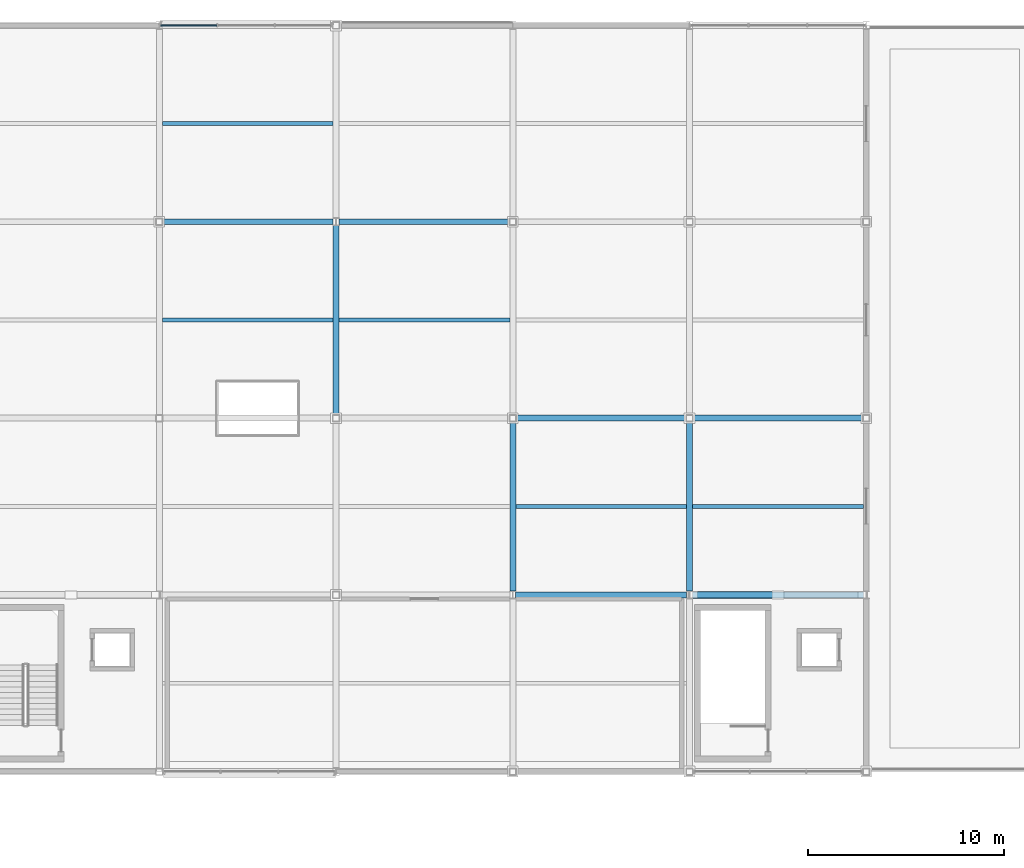
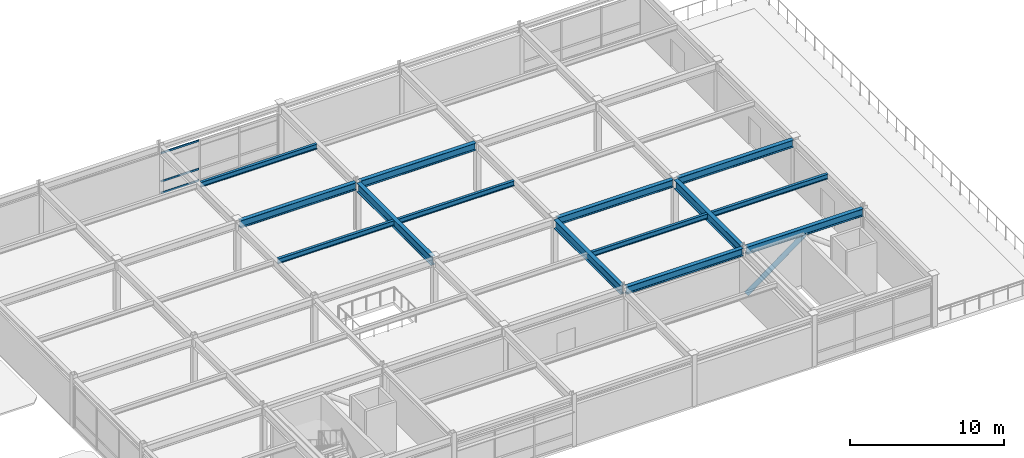
# One storey, part 23 of 40: 14 beams, 4 members, 1 element without a shape of its own.
"""IFC4 building model written with IfcOpenShell, lengths in metres."""

from ifc_helpers import new_model, si_unit, direction, frame, origin, origin_2d, place, context, subcontext, project, spatial, rectangle, hollow_circle, i_section, extrude, material, material_profile, profile_set, type_object, element, aggregate, save


model = new_model("IFC4")

# Units and contexts
model_context = context("Model", 3, precision=1e-05, world=origin(), true_north=direction((0.0, 1.0)))
body_context = subcontext(model_context, "Body", "Model", "MODEL_VIEW")
ifc_project = project(units=[si_unit("LENGTHUNIT", "METRE"), si_unit("AREAUNIT", "SQUARE_METRE"), si_unit("VOLUMEUNIT", "CUBIC_METRE"), si_unit("PLANEANGLEUNIT", "RADIAN"), si_unit("MASSUNIT", "GRAM", prefix="KILO")], contexts=[model_context])

# Site, building, storey
site_placement = place(None, origin())
site = spatial("IfcSite", under=ifc_project, at=site_placement, CompositionType="ELEMENT")
building_placement = place(site_placement, origin())
building = spatial("IfcBuilding", under=site, at=building_placement, Name="Suzunagisa Mobility Hub", CompositionType="ELEMENT")
storey_placement = place(building_placement, frame((0.0, 0.0, 21.89990234375)))
storey = spatial("IfcBuildingStorey", under=building, at=storey_placement, Name="L05", CompositionType="ELEMENT", Elevation=21.89990234375)

# Curtain wall, members
ifc_material_1 = material(Name="Thermally Broken Anodized Aluminum and Low-E Glazing", Category="aluminium")
curtain_wall_type = type_object("IfcCurtainWallType", Name="Unitised Curtain Wall CW-13 8750x3200", PredefinedType="USERDEFINED", material=ifc_material_1)
curtain_wall_placement = place(storey_placement, origin())
curtain_wall = element("IfcCurtainWall", 1, at=curtain_wall_placement, inside=storey, type_object=curtain_wall_type, Name="L05 Unitised Curtain Wall CW-138", ObjectType="UNITISED CURTAIN WALL", PredefinedType="USERDEFINED")
ifc_material_2 = material(Name="Anodized Aluminum 6063-T6", Category="aluminium")
ifc_material_profile_1 = material_profile(ifc_material_2, rectangle(XDim=0.06494140625, YDim=0.139892578125, at=origin_2d()), Name="TRAN-65x140")
ifc_profile_set_1 = profile_set([ifc_material_profile_1], Name="Anodized Aluminum 6063-T6")
member_type_1 = type_object("IfcMemberType", Name="Curtain Wall Framing CM-01 TRAN-65x140", PredefinedType="USERDEFINED", material=ifc_profile_set_1)
member_1_placement = place(storey_placement, frame((65.916748046875, 118.0, 0.03271484375), z_axis=(-1.0, 0.0, 0.0), x_axis=(0.0, -1.0, 0.0)))
member_1 = element("IfcMember", 2, at=member_1_placement, type_object=member_type_1, Name="Curtain Wall Transom 138-T3.1", ObjectType="TRANSOM", PredefinedType="USERDEFINED", context=body_context, shape_type="SweptSolid", body=[
    extrude(rectangle(XDim=0.06494140625, YDim=0.139892578125, at=origin_2d()), origin(), (0.0, 0.0, 1.0), 2.854248046875),
])
member_2_placement = place(storey_placement, frame((65.916748046875, 118.0, 0.9501953125), z_axis=(-1.0, 0.0, 0.0), x_axis=(0.0, -1.0, 0.0)))
member_2 = element("IfcMember", 3, at=member_2_placement, type_object=member_type_1, Name="Curtain Wall Transom 138-T3.2", ObjectType="TRANSOM", PredefinedType="USERDEFINED", context=body_context, shape_type="SweptSolid", body=[
    extrude(rectangle(XDim=0.06494140625, YDim=0.139892578125, at=origin_2d()), origin(), (0.0, 0.0, 1.0), 2.854248046875),
])
member_3_placement = place(storey_placement, frame((65.916748046875, 118.0, 3.1875), z_axis=(-1.0, 0.0, 0.0), x_axis=(0.0, -1.0, 0.0)))
member_3 = element("IfcMember", 4, at=member_3_placement, type_object=member_type_1, Name="Curtain Wall Transom 138-T3.3", ObjectType="TRANSOM", PredefinedType="USERDEFINED", context=body_context, shape_type="SweptSolid", body=[
    extrude(rectangle(XDim=0.06494140625, YDim=0.139892578125, at=origin_2d()), origin(), (0.0, 0.0, 1.0), 2.854248046875),
])
aggregate(curtain_wall, [member_1, member_2, member_3])

# Member
ifc_material_3 = material(Name="Steel SN490B", Category="steel")
ifc_material_profile_2 = material_profile(ifc_material_3, hollow_circle(Radius=0.177734375, WallThickness=0.0126953125, at=origin_2d()), Name="CHS-355.6x12.7")
ifc_profile_set_2 = profile_set([ifc_material_profile_2], Name="Steel SN490B")
member_type_2 = type_object("IfcMemberType", Name="Roof Truss and Brace Member MB-03 CHS-355.6x12.7", PredefinedType="BRACE", material=ifc_profile_set_2)
member_4_placement = place(storey_placement, frame((90.169921875, 89.0, 0.1201171875), z_axis=(0.804397588091, 0.0, 0.594091340009), x_axis=(0.0, 1.0, 0.0)))
element("IfcMember", 5, at=member_4_placement, inside=storey, type_object=member_type_2, Name="L05 Concentric Lateral Brace BR-49", PredefinedType="BRACE", context=body_context, shape_type="SweptSolid", body=[
    extrude(hollow_circle(Radius=0.177734375, WallThickness=0.0126953125, at=origin_2d()), origin(), (0.0, 0.0, 1.0), 5.383056640625),
])

# Beams
ifc_material_profile_3 = material_profile(ifc_material_3, i_section(OverallWidth=0.300048828125, OverallDepth=0.699951171875, WebThickness=0.012939453125, FlangeThickness=0.02392578125, FilletRadius=0.01806640625, at=origin_2d()), Name="H-700x300x13x24")
ifc_profile_set_3 = profile_set([ifc_material_profile_3], Name="Steel SN490B")
beam_type_1 = type_object("IfcBeamType", Name="Steel Beam BM-11 H-700x300x13x24", PredefinedType="BEAM", material=ifc_profile_set_3)
beam_placement = place(storey_placement, frame((72.0, 98.1708984375, 3.570068359375), z_axis=(0.0, 1.0, 0.0), x_axis=(-1.0, 0.0, 0.0)))
element("IfcBeam", 6, at=beam_placement, inside=storey, type_object=beam_type_1, Name="L05 Primary Girder GY-1273", PredefinedType="BEAM", context=body_context, shape_type="SweptSolid", body=[
    extrude(i_section(OverallWidth=0.300048828125, OverallDepth=0.699951171875, WebThickness=0.012939453125, FlangeThickness=0.02392578125, FilletRadius=0.01806640625, at=origin_2d()), origin(), (0.0, 0.0, 1.0), 9.63818359375),
])
for number, where, z_axis, x_axis, name in (
    (7, (81.0, 89.19091796875, 3.570068359375), (0.0, 1.0, 0.0), (-1.0, 0.0, 0.0), "L05 Primary Girder GY-1276"),
    (8, (90.0, 89.19091796875, 3.570068359375), (0.0, 1.0, 0.0), (-1.0, 0.0, 0.0), "L05 Primary Girder GY-1280"),
):
    element("IfcBeam", number, at=place(storey_placement, frame(where, z_axis=z_axis, x_axis=x_axis)), inside=storey, type_object=beam_type_1, Name=name, PredefinedType="BEAM", context=body_context, shape_type="SweptSolid", body=[
        extrude(i_section(OverallWidth=0.300048828125, OverallDepth=0.699951171875, WebThickness=0.012939453125, FlangeThickness=0.02392578125, FilletRadius=0.01806640625, at=origin_2d()), origin(), (0.0, 0.0, 1.0), 8.63818359375),
    ])
ifc_material_4 = material(Name="Steel SN400B", Category="steel")
ifc_material_profile_4 = material_profile(ifc_material_4, i_section(OverallWidth=0.199951171875, OverallDepth=0.39990234375, WebThickness=0.008056640625, FlangeThickness=0.012939453125, FilletRadius=0.012939453125, at=origin_2d()), Name="H-400x200x8x13")
ifc_profile_set_4 = profile_set([ifc_material_profile_4], Name="Steel SN400B")
beam_type_2 = type_object("IfcBeamType", Name="Steel Beam BM-14 H-400x200x8x13", PredefinedType="JOIST", material=ifc_profile_set_4)
for number, where, z_axis, x_axis, name in (
    (9, (63.14990234375, 103.0, 3.72021484375), (1.0, 0.0, 0.0), (0.0, 1.0, 0.0), "L05 Composite Floor Joist J-1289"),
    (10, (63.14990234375, 113.0, 3.72021484375), (1.0, 0.0, 0.0), (0.0, 1.0, 0.0), "L05 Composite Floor Joist J-1290"),
    (11, (72.14990234375, 103.0, 3.72021484375), (1.0, 0.0, 0.0), (0.0, 1.0, 0.0), "L05 Composite Floor Joist J-1293"),
    (12, (81.14990234375, 93.5, 3.72021484375), (1.0, 0.0, 0.0), (0.0, 1.0, 0.0), "L05 Composite Floor Joist J-1296"),
    (13, (90.14990234375, 93.5, 3.72021484375), (1.0, 0.0, 0.0), (0.0, 1.0, 0.0), "L05 Composite Floor Joist J-1299"),
):
    element("IfcBeam", number, at=place(storey_placement, frame(where, z_axis=z_axis, x_axis=x_axis)), inside=storey, type_object=beam_type_2, Name=name, PredefinedType="JOIST", context=body_context, shape_type="SweptSolid", body=[
        extrude(i_section(OverallWidth=0.199951171875, OverallDepth=0.39990234375, WebThickness=0.008056640625, FlangeThickness=0.012939453125, FilletRadius=0.012939453125, at=origin_2d()), origin(), (0.0, 0.0, 1.0), 8.7001953125),
    ])
ifc_material_profile_5 = material_profile(ifc_material_3, i_section(OverallWidth=0.300048828125, OverallDepth=0.587890625, WebThickness=0.011962890625, FlangeThickness=0.02001953125, FilletRadius=0.012939453125, at=origin_2d()), Name="H-588x300x12x20")
ifc_profile_set_5 = profile_set([ifc_material_profile_5], Name="Steel SN490B")
beam_type_3 = type_object("IfcBeamType", Name="Steel Beam BM-16 H-588x300x12x20", PredefinedType="BEAM", material=ifc_profile_set_5)
for number, where, z_axis, x_axis, name in (
    (14, (81.14599609375, 89.0, 3.6259765625), (1.0, 0.0, 0.0), (0.0, 1.0, 0.0), "L05 Primary Girder GX-1255"),
    (15, (90.14599609375, 89.0, 3.6259765625), (1.0, 0.0, 0.0), (0.0, 1.0, 0.0), "L05 Primary Girder GX-1256"),
):
    element("IfcBeam", number, at=place(storey_placement, frame(where, z_axis=z_axis, x_axis=x_axis)), inside=storey, type_object=beam_type_3, Name=name, PredefinedType="BEAM", context=body_context, shape_type="SweptSolid", body=[
        extrude(i_section(OverallWidth=0.300048828125, OverallDepth=0.587890625, WebThickness=0.011962890625, FlangeThickness=0.02001953125, FilletRadius=0.012939453125, at=origin_2d()), origin(), (0.0, 0.0, 1.0), 8.7080078125),
    ])
for number, where, z_axis, x_axis, name in (
    (16, (81.1708984375, 98.0, 3.6259765625), (1.0, 0.0, 0.0), (0.0, 1.0, 0.0), "L05 Primary Girder GX-1259"),
    (17, (90.1708984375, 98.0, 3.6259765625), (1.0, 0.0, 0.0), (0.0, 1.0, 0.0), "L05 Primary Girder GX-1260"),
):
    element("IfcBeam", number, at=place(storey_placement, frame(where, z_axis=z_axis, x_axis=x_axis)), inside=storey, type_object=beam_type_3, Name=name, PredefinedType="BEAM", context=body_context, shape_type="SweptSolid", body=[
        extrude(i_section(OverallWidth=0.300048828125, OverallDepth=0.587890625, WebThickness=0.011962890625, FlangeThickness=0.02001953125, FilletRadius=0.012939453125, at=origin_2d()), origin(), (0.0, 0.0, 1.0), 8.658203125),
    ])
for number, where, z_axis, x_axis, name in (
    (18, (63.1708984375, 108.0, 3.6259765625), (1.0, 0.0, 0.0), (0.0, 1.0, 0.0), "L05 Primary Girder GX-1261"),
    (19, (72.14599609375, 108.0, 3.6259765625), (1.0, 0.0, 0.0), (0.0, 1.0, 0.0), "L05 Primary Girder GX-1262"),
):
    element("IfcBeam", number, at=place(storey_placement, frame(where, z_axis=z_axis, x_axis=x_axis)), inside=storey, type_object=beam_type_3, Name=name, PredefinedType="BEAM", context=body_context, shape_type="SweptSolid", body=[
        extrude(i_section(OverallWidth=0.300048828125, OverallDepth=0.587890625, WebThickness=0.011962890625, FlangeThickness=0.02001953125, FilletRadius=0.012939453125, at=origin_2d()), origin(), (0.0, 0.0, 1.0), 8.68310546875),
    ])

save(model, "model.ifc")
